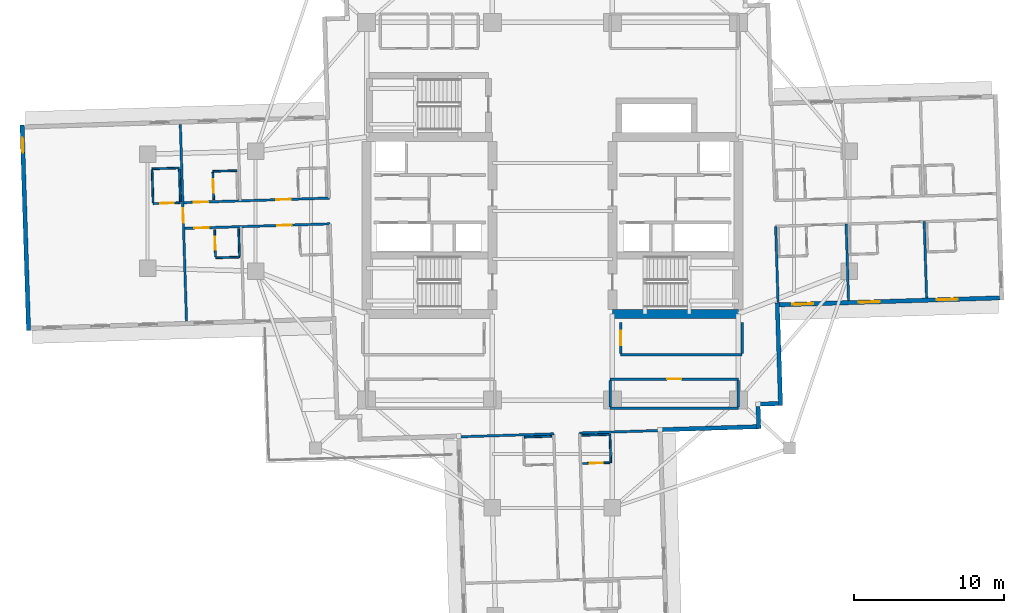
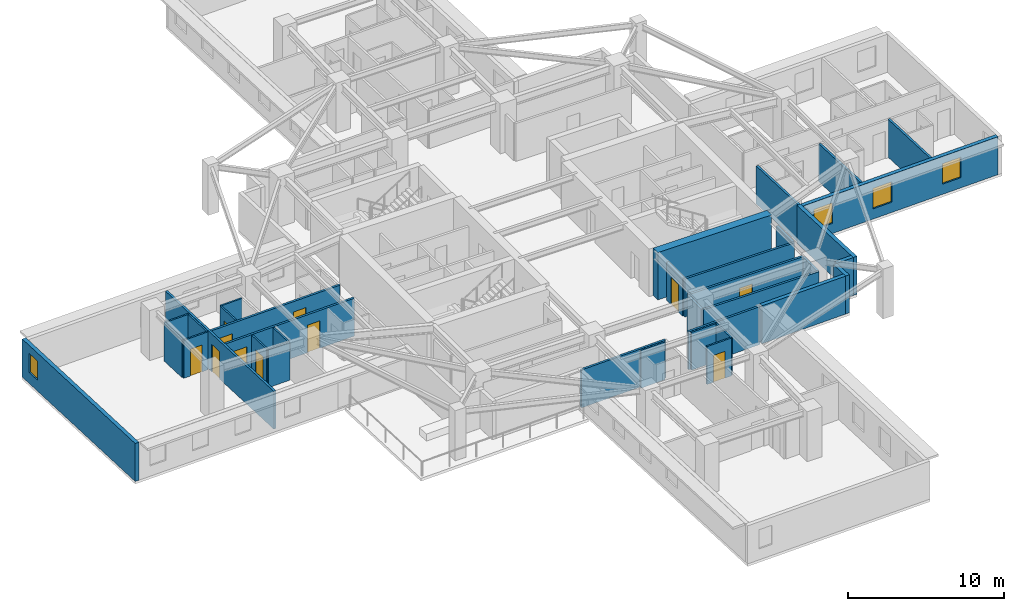
# One storey, part 4 of 14: 35 walls, 11 doors, 4 windows, 15 openings.
"""IFC4 building model written with IfcOpenShell, lengths in metres."""

from ifc_helpers import new_model, si_unit, direction, frame, frame_2d, origin, place, context, subcontext, project, spatial, rectangle, extrude, material, layer, layer_set, type_object, element, fill, save


model = new_model("IFC4")

# Units and contexts
model_context = context("Model", 3, precision=1e-05, world=origin(), true_north=direction((0.0, 1.0)))
body_context = subcontext(model_context, "Body", "Model", "MODEL_VIEW")
ifc_project = project(units=[si_unit("LENGTHUNIT", "METRE"), si_unit("AREAUNIT", "SQUARE_METRE"), si_unit("VOLUMEUNIT", "CUBIC_METRE"), si_unit("PLANEANGLEUNIT", "RADIAN"), si_unit("MASSUNIT", "GRAM", prefix="KILO")], contexts=[model_context])

# Site, building, storey
site_placement = place(None, origin())
site = spatial("IfcSite", under=ifc_project, at=site_placement, CompositionType="ELEMENT")
building_placement = place(site_placement, origin())
building = spatial("IfcBuilding", under=site, at=building_placement, Name="Qingluan Cross Belvedere", CompositionType="ELEMENT")
storey_placement = place(building_placement, frame((0.0, 0.0, 112.5)))
storey = spatial("IfcBuildingStorey", under=building, at=storey_placement, Name="L28", CompositionType="ELEMENT", Elevation=112.5)

# Walls
ifc_material_1 = material(Name="Concrete C60", Category="concrete")
ifc_layer_1 = layer(ifc_material_1, 0.60009765625, Name="CoreShearWall_600")
ifc_layer_set_1 = layer_set([ifc_layer_1], Name="Concrete C60")
wall_type_1 = type_object("IfcWallType", Name="CoreShearWall_600", PredefinedType="SHEAR", material=ifc_layer_set_1)
wall_1_placement = place(storey_placement, frame((4.0, -6.85009765625, 0.0), z_axis=(0.0, 0.0, 1.0), x_axis=(1.0, 0.0, 0.0)))
element("IfcWall", 1, at=wall_1_placement, inside=storey, type_object=wall_type_1, Name="Split core E shear wall L28-S", PredefinedType="SHEAR", context=body_context, shape_type="SweptSolid", body=[
    extrude(rectangle(XDim=8.39990234375, YDim=0.60009765625, at=frame_2d((4.199951171875, 0.0))), origin(), (0.0, 0.0, 1.0), 3.699951171875),
])
ifc_material_2 = material(Name="Gypsum plasterboard on steel stud acoustic partition", Category="steel")
ifc_layer_2 = layer(ifc_material_2, 0.159912109375, Name="CorridorPartition_160")
ifc_layer_set_2 = layer_set([ifc_layer_2], Name="Gypsum plasterboard on steel stud acoustic partition")
wall_type_2 = type_object("IfcWallType", Name="CorridorPartition_160", PredefinedType="PARTITIONING", material=ifc_layer_set_2)
wall_2_placement = place(storey_placement, frame((3.85009765625, -13.14990234375, 0.0), z_axis=(0.0, 0.0, 1.0), x_axis=(1.0, 0.0, 0.0)))
element("IfcWall", 2, at=wall_2_placement, inside=storey, type_object=wall_type_2, Name="Partition L28:q_se:S", PredefinedType="PARTITIONING", context=body_context, shape_type="SweptSolid", body=[
    extrude(rectangle(XDim=8.5498046875, YDim=0.159912109375, at=frame_2d((4.27490234375, 0.0))), origin(), (0.0, 0.0, 1.0), 2.9599609375),
])

# Wall, opening, door
wall_3_placement = place(storey_placement, frame((3.85009765625, -11.199951171875, 0.0), z_axis=(0.0, 0.0, 1.0), x_axis=(1.0, 0.0, 0.0)))
wall_3 = element("IfcWall", 3, at=wall_3_placement, inside=storey, type_object=wall_type_2, Name="Partition L28:q_se:N", PredefinedType="PARTITIONING", context=body_context, shape_type="SweptSolid", body=[
    extrude(rectangle(XDim=8.5498046875, YDim=0.159912109375, at=frame_2d((4.27490234375, 0.0))), origin(), (0.0, 0.0, 1.0), 2.9599609375),
])
opening_1_placement = place(wall_3_placement, frame((3.794921875, 0.0, 0.0)))
opening_1 = element("IfcOpeningElement", 4, at=opening_1_placement, cuts=wall_3, Name="Opening GD-10", PredefinedType="OPENING", context=body_context, shape_type="SweptSolid", body=[
    extrude(rectangle(XDim=0.9599609375, YDim=2.14990234375, at=frame_2d((0.47998046875, 1.074951171875))), frame((0.0, 0.08984375, 0.0), z_axis=(0.0, -1.0, 0.0), x_axis=(1.0, 0.0, 0.0)), (0.0, 0.0, 1.0), 0.179931640625),
])
ifc_material_3 = material(Name="Timber oak fire-rated acoustic guestroom door", Category="wood")
door_type_1 = type_object("IfcDoorType", Name="GuestEntryDoor_FD60", OperationType="NOTDEFINED", PredefinedType="DOOR", material=ifc_material_3)
door_1_placement = place(opening_1_placement, origin())
door_1 = element("IfcDoor", 5, at=door_1_placement, inside=storey, type_object=door_type_1, Name="Concierge business office L28 door", OperationType="SINGLE_SWING_LEFT", OverallHeight=2.14990234375, OverallWidth=0.9599609375, PredefinedType="DOOR", context=body_context, shape_type="SweptSolid", body=[
    extrude(rectangle(XDim=0.9599609375, YDim=2.14990234375, at=frame_2d((0.47998046875, 1.074951171875))), frame((0.0, 0.02490234375, 0.0), z_axis=(0.0, -1.0, 0.0), x_axis=(1.0, 0.0, 0.0)), (0.0, 0.0, 1.0), 0.050048828125),
])
fill(opening_1, door_1)

# Walls
for number, where, z_axis, x_axis, name in (
    (6, (3.85009765625, -13.06494140625, 0.0), (0.0, 0.0, 1.0), (0.0, 1.0, 0.0), "Partition L28:q_se:W"),
    (7, (12.39990234375, -13.06494140625, 0.0), (0.0, 0.0, 1.0), (0.0, 1.0, 0.0), "Partition L28:q_se:E"),
):
    element("IfcWall", number, at=place(storey_placement, frame(where, z_axis=z_axis, x_axis=x_axis)), inside=storey, type_object=wall_type_2, Name=name, PredefinedType="PARTITIONING", context=body_context, shape_type="SweptSolid", body=[
        extrude(rectangle(XDim=1.780029296875, YDim=0.159912109375, at=frame_2d((0.89013671875, 0.0))), origin(), (0.0, 0.0, 1.0), 2.9599609375),
    ])
wall_4_placement = place(storey_placement, frame((4.550048828125, -9.580078125, 0.0), z_axis=(0.0, 0.0, 1.0), x_axis=(1.0, 0.0, 0.0)))
element("IfcWall", 8, at=wall_4_placement, inside=storey, type_object=wall_type_2, Name="Partition L28:rec_st4:S", PredefinedType="PARTITIONING", context=body_context, shape_type="SweptSolid", body=[
    extrude(rectangle(XDim=8.099853515625, YDim=0.159912109375, at=frame_2d((4.0498046875, 0.0))), origin(), (0.0, 0.0, 1.0), 2.9599609375),
])

# Wall, opening, door
wall_5_placement = place(storey_placement, frame((4.550048828125, -9.4951171875, 0.0), z_axis=(0.0, 0.0, 1.0), x_axis=(0.0, 1.0, 0.0)))
wall_5 = element("IfcWall", 9, at=wall_5_placement, inside=storey, type_object=wall_type_2, Name="Partition L28:rec_st4:W", PredefinedType="PARTITIONING", context=body_context, shape_type="SweptSolid", body=[
    extrude(rectangle(XDim=2.06005859375, YDim=0.159912109375, at=frame_2d((1.030029296875, 0.0))), origin(), (0.0, 0.0, 1.0), 2.9599609375),
])
opening_2_placement = place(wall_5_placement, frame((0.550048828125, 0.0, 0.0)))
opening_2 = element("IfcOpeningElement", 10, at=opening_2_placement, cuts=wall_5, Name="Opening GD-10", PredefinedType="OPENING", context=body_context, shape_type="SweptSolid", body=[
    extrude(rectangle(XDim=0.9599609375, YDim=2.14990234375, at=frame_2d((0.47998046875, 1.074951171875))), frame((0.0, 0.08984375, 0.0), z_axis=(0.0, -1.0, 0.0), x_axis=(1.0, 0.0, 0.0)), (0.0, 0.0, 1.0), 0.179931640625),
])
door_2_placement = place(opening_2_placement, origin())
door_2 = element("IfcDoor", 11, at=door_2_placement, inside=storey, type_object=door_type_1, Name="Southeast club library room L28 door", OperationType="SINGLE_SWING_RIGHT", OverallHeight=2.14990234375, OverallWidth=0.9599609375, PredefinedType="DOOR", context=body_context, shape_type="SweptSolid", body=[
    extrude(rectangle(XDim=0.9599609375, YDim=2.14990234375, at=frame_2d((0.47998046875, 1.074951171875))), frame((0.0, 0.02490234375, 0.0), z_axis=(0.0, -1.0, 0.0), x_axis=(1.0, 0.0, 0.0)), (0.0, 0.0, 1.0), 0.050048828125),
])
fill(opening_2, door_2)

# Walls
wall_6_placement = place(storey_placement, frame((12.64990234375, -9.4951171875, 0.0), z_axis=(0.0, 0.0, 1.0), x_axis=(0.0, 1.0, 0.0)))
element("IfcWall", 12, at=wall_6_placement, inside=storey, type_object=wall_type_2, Name="Partition L28:rec_st4:E", PredefinedType="PARTITIONING", context=body_context, shape_type="SweptSolid", body=[
    extrude(rectangle(XDim=2.06005859375, YDim=0.159912109375, at=frame_2d((1.030029296875, 0.0))), origin(), (0.0, 0.0, 1.0), 2.9599609375),
])
for number, where, z_axis, x_axis, name in (
    (13, (14.88916015625, -1.0126953125, 0.0), (0.0, 0.0, 1.0), (0.031451789571, -0.999505270088, 0.0), "Partition L28:E:s1"),
    (14, (19.58984375, -0.864990234375, 0.0), (0.0, 0.0, 1.0), (0.031403892089, -0.999506776146, 0.0), "Partition L28:E:d1_0"),
    (15, (24.79833984375, -0.701416015625, 0.0), (0.0, 0.0, 1.0), (0.031403892089, -0.999506776146, 0.0), "Partition L28:E:d1_1"),
):
    element("IfcWall", number, at=place(storey_placement, frame(where, z_axis=z_axis, x_axis=x_axis)), inside=storey, type_object=wall_type_2, Name=name, PredefinedType="PARTITIONING", context=body_context, shape_type="SweptSolid", body=[
        extrude(rectangle(XDim=5.092041015625, YDim=0.159912109375, at=frame_2d((2.5458984375, 0.0))), origin(), (0.0, 0.0, 1.0), 2.9599609375),
    ])

# Wall, openings, doors
wall_7_placement = place(storey_placement, frame((-14.884765625, 0.872802734375, 0.0), z_axis=(0.0, 0.0, 1.0), x_axis=(-0.999506560269, -0.031410762168, 0.0)))
wall_7 = element("IfcWall", 16, at=wall_7_placement, inside=storey, type_object=wall_type_2, Name="Partition L28:W:c0", PredefinedType="PARTITIONING", context=body_context, shape_type="SweptSolid", body=[
    extrude(rectangle(XDim=9.7001953125, YDim=0.159912109375, at=frame_2d((4.85009765625, 0.0))), origin(), (0.0, 0.0, 1.0), 2.9599609375),
])
opening_3_placement = place(wall_7_placement, frame((2.574951171875, 0.0, 0.0)))
opening_3 = element("IfcOpeningElement", 17, at=opening_3_placement, cuts=wall_7, Name="Opening GD-10", PredefinedType="OPENING", context=body_context, shape_type="SweptSolid", body=[
    extrude(rectangle(XDim=0.9599609375, YDim=2.14990234375, at=frame_2d((0.47998046875, 1.074951171875))), frame((0.0, 0.08984375, 0.0), z_axis=(0.0, -1.0, 0.0), x_axis=(1.0, 0.0, 0.0)), (0.0, 0.0, 1.0), 0.179931640625),
])
opening_4_placement = place(wall_7_placement, frame((8.096923828125, 0.0, 0.0)))
opening_4 = element("IfcOpeningElement", 18, at=opening_4_placement, cuts=wall_7, Name="Opening GD-10", PredefinedType="OPENING", context=body_context, shape_type="SweptSolid", body=[
    extrude(rectangle(XDim=0.9599609375, YDim=2.14990234375, at=frame_2d((0.47998046875, 1.074951171875))), frame((0.0, 0.08984375, 0.0), z_axis=(0.0, -1.0, 0.0), x_axis=(1.0, 0.0, 0.0)), (0.0, 0.0, 1.0), 0.179931640625),
])
door_3_placement = place(opening_3_placement, origin())
door_3 = element("IfcDoor", 19, at=door_3_placement, inside=storey, type_object=door_type_1, Name="Guest entry fire door 2807", OperationType="SINGLE_SWING_RIGHT", OverallHeight=2.14990234375, OverallWidth=0.9599609375, PredefinedType="DOOR", context=body_context, shape_type="SweptSolid", body=[
    extrude(rectangle(XDim=0.9599609375, YDim=2.14990234375, at=frame_2d((0.47998046875, 1.074951171875))), frame((0.0, 0.02490234375, 0.0), z_axis=(0.0, -1.0, 0.0), x_axis=(1.0, 0.0, 0.0)), (0.0, 0.0, 1.0), 0.050048828125),
])
fill(opening_3, door_3)
door_4_placement = place(opening_4_placement, origin())
door_4 = element("IfcDoor", 20, at=door_4_placement, inside=storey, type_object=door_type_1, Name="Guest entry fire door 2808", OperationType="SINGLE_SWING_RIGHT", OverallHeight=2.14990234375, OverallWidth=0.9599609375, PredefinedType="DOOR", context=body_context, shape_type="SweptSolid", body=[
    extrude(rectangle(XDim=0.9599609375, YDim=2.14990234375, at=frame_2d((0.47998046875, 1.074951171875))), frame((0.0, 0.02490234375, 0.0), z_axis=(0.0, -1.0, 0.0), x_axis=(1.0, 0.0, 0.0)), (0.0, 0.0, 1.0), 0.050048828125),
])
fill(opening_4, door_4)

wall_8_placement = place(storey_placement, frame((-14.830810546875, -0.84619140625, 0.0), z_axis=(0.0, 0.0, 1.0), x_axis=(-0.999506535435, -0.031411552371, 0.0)))
wall_8 = element("IfcWall", 21, at=wall_8_placement, inside=storey, type_object=wall_type_2, Name="Partition L28:W:c1", PredefinedType="PARTITIONING", context=body_context, shape_type="SweptSolid", body=[
    extrude(rectangle(XDim=9.699951171875, YDim=0.159912109375, at=frame_2d((4.85009765625, 0.0))), origin(), (0.0, 0.0, 1.0), 2.9599609375),
])
opening_5_placement = place(wall_8_placement, frame((2.574951171875, 0.0, 0.0)))
opening_5 = element("IfcOpeningElement", 22, at=opening_5_placement, cuts=wall_8, Name="Opening GD-10", PredefinedType="OPENING", context=body_context, shape_type="SweptSolid", body=[
    extrude(rectangle(XDim=0.9599609375, YDim=2.14990234375, at=frame_2d((0.47998046875, 1.074951171875))), frame((0.0, 0.08984375, 0.0), z_axis=(0.0, -1.0, 0.0), x_axis=(1.0, 0.0, 0.0)), (0.0, 0.0, 1.0), 0.179931640625),
])
opening_6_placement = place(wall_8_placement, frame((8.096923828125, 0.0, 0.0)))
opening_6 = element("IfcOpeningElement", 23, at=opening_6_placement, cuts=wall_8, Name="Opening GD-10", PredefinedType="OPENING", context=body_context, shape_type="SweptSolid", body=[
    extrude(rectangle(XDim=0.9599609375, YDim=2.14990234375, at=frame_2d((0.47998046875, 1.074951171875))), frame((0.0, 0.08984375, 0.0), z_axis=(0.0, -1.0, 0.0), x_axis=(1.0, 0.0, 0.0)), (0.0, 0.0, 1.0), 0.179931640625),
])
door_5_placement = place(opening_5_placement, origin())
door_5 = element("IfcDoor", 24, at=door_5_placement, inside=storey, type_object=door_type_1, Name="Guest entry fire door 2809", OperationType="SINGLE_SWING_RIGHT", OverallHeight=2.14990234375, OverallWidth=0.9599609375, PredefinedType="DOOR", context=body_context, shape_type="SweptSolid", body=[
    extrude(rectangle(XDim=0.9599609375, YDim=2.14990234375, at=frame_2d((0.47998046875, 1.074951171875))), frame((0.0, 0.02490234375, 0.0), z_axis=(0.0, -1.0, 0.0), x_axis=(1.0, 0.0, 0.0)), (0.0, 0.0, 1.0), 0.050048828125),
])
fill(opening_5, door_5)
door_6_placement = place(opening_6_placement, origin())
door_6 = element("IfcDoor", 25, at=door_6_placement, inside=storey, type_object=door_type_1, Name="Guest entry fire door 2810", OperationType="SINGLE_SWING_RIGHT", OverallHeight=2.14990234375, OverallWidth=0.9599609375, PredefinedType="DOOR", context=body_context, shape_type="SweptSolid", body=[
    extrude(rectangle(XDim=0.9599609375, YDim=2.14990234375, at=frame_2d((0.47998046875, 1.074951171875))), frame((0.0, 0.02490234375, 0.0), z_axis=(0.0, -1.0, 0.0), x_axis=(1.0, 0.0, 0.0)), (0.0, 0.0, 1.0), 0.050048828125),
])
fill(opening_6, door_6)

# Walls
wall_9_placement = place(storey_placement, frame((1.805908203125, -14.800537109375, 0.0), z_axis=(0.0, 0.0, 1.0), x_axis=(0.999506793296, 0.031403346241, 0.0)))
element("IfcWall", 26, at=wall_9_placement, inside=storey, type_object=wall_type_2, Name="Partition L28:S:s0", PredefinedType="PARTITIONING", context=body_context, shape_type="SweptSolid", body=[
    extrude(rectangle(XDim=5.3798828125, YDim=0.159912109375, at=frame_2d((2.68994140625, 0.0))), origin(), (0.0, 0.0, 1.0), 2.9599609375),
])
wall_10_placement = place(storey_placement, frame((0.086669921875, -14.8544921875, 0.0), z_axis=(0.0, 0.0, 1.0), x_axis=(-0.999506197806, -0.031422293782, 0.0)))
element("IfcWall", 27, at=wall_10_placement, inside=storey, type_object=wall_type_2, Name="Partition L28:S:s1", PredefinedType="PARTITIONING", context=body_context, shape_type="SweptSolid", body=[
    extrude(rectangle(XDim=6.340087890625, YDim=0.159912109375, at=frame_2d((3.169921875, 0.0))), origin(), (0.0, 0.0, 1.0), 2.9599609375),
])

# Wall, opening, door
wall_11_placement = place(storey_placement, frame((-24.411376953125, -7.34228515625, 0.0), z_axis=(0.0, 0.0, 1.0), x_axis=(-0.031409296822, 0.999506606318, 0.0)))
wall_11 = element("IfcWall", 28, at=wall_11_placement, inside=storey, type_object=wall_type_2, Name="Partition L28:Wcap:in", PredefinedType="PARTITIONING", context=body_context, shape_type="SweptSolid", body=[
    extrude(rectangle(XDim=13.14404296875, YDim=0.159912109375, at=frame_2d((6.572021484375, 0.0))), origin(), (0.0, 0.0, 1.0), 2.9599609375),
])
opening_7_placement = place(wall_11_placement, frame((6.572021484375, 0.0, 0.0)))
opening_7 = element("IfcOpeningElement", 29, at=opening_7_placement, cuts=wall_11, Name="Opening GD-10", PredefinedType="OPENING", context=body_context, shape_type="SweptSolid", body=[
    extrude(rectangle(XDim=0.9599609375, YDim=2.14990234375, at=frame_2d((0.47998046875, 1.074951171875))), frame((0.0, 0.08984375, 0.0), z_axis=(0.0, -1.0, 0.0), x_axis=(1.0, 0.0, 0.0)), (0.0, 0.0, 1.0), 0.179931640625),
])
door_7_placement = place(opening_7_placement, origin())
door_7 = element("IfcDoor", 30, at=door_7_placement, inside=storey, type_object=door_type_1, Name="Presidential suite entrance door L28W", OperationType="SINGLE_SWING_LEFT", OverallHeight=2.14990234375, OverallWidth=0.9599609375, PredefinedType="DOOR", context=body_context, shape_type="SweptSolid", body=[
    extrude(rectangle(XDim=0.9599609375, YDim=2.14990234375, at=frame_2d((0.47998046875, 1.074951171875))), frame((0.0, 0.02490234375, 0.0), z_axis=(0.0, -1.0, 0.0), x_axis=(1.0, 0.0, 0.0)), (0.0, 0.0, 1.0), 0.050048828125),
])
fill(opening_7, door_7)

ifc_material_4 = material(Name="Moisture-resistant gypsum board lining")
ifc_layer_3 = layer(ifc_material_4, 0.1201171875, Name="EnsuiteWetPartition_120")
ifc_layer_set_3 = layer_set([ifc_layer_3], Name="Moisture-resistant gypsum board lining")
wall_type_3 = type_object("IfcWallType", Name="EnsuiteWetPartition_120", PredefinedType="PARTITIONING", material=ifc_layer_set_3)
wall_12_placement = place(storey_placement, frame((-22.595458984375, 0.7705078125, 0.0), z_axis=(0.0, 0.0, 1.0), x_axis=(-0.031389704724, 0.999507221803, 0.0)))
wall_12 = element("IfcWall", 31, at=wall_12_placement, inside=storey, type_object=wall_type_3, Name="Partition L28:W:bs0_1", PredefinedType="PARTITIONING", context=body_context, shape_type="SweptSolid", body=[
    extrude(rectangle(XDim=1.820068359375, YDim=0.1201171875, at=frame_2d((0.91015625, 0.0))), origin(), (0.0, 0.0, 1.0), 2.9599609375),
])
opening_8_placement = place(wall_12_placement, frame((0.469970703125, 0.0, 0.0)))
opening_8 = element("IfcOpeningElement", 32, at=opening_8_placement, cuts=wall_12, Name="Opening BD-09", PredefinedType="OPENING", context=body_context, shape_type="SweptSolid", body=[
    extrude(rectangle(XDim=0.8798828125, YDim=2.10009765625, at=frame_2d((0.43994140625, 1.050048828125))), frame((0.0, 0.070068359375, 0.0), z_axis=(0.0, -1.0, 0.0), x_axis=(1.0, 0.0, 0.0)), (0.0, 0.0, 1.0), 0.14013671875),
])
ifc_material_5 = material(Name="Moisture-sealed timber en-suite door", Category="wood")
door_type_2 = type_object("IfcDoorType", Name="BathroomDoor_880", OperationType="NOTDEFINED", PredefinedType="DOOR", material=ifc_material_5)
door_8_placement = place(opening_8_placement, origin())
door_8 = element("IfcDoor", 33, at=door_8_placement, inside=storey, type_object=door_type_2, Name="Bathroom door 2808", OperationType="SINGLE_SWING_LEFT", OverallHeight=2.10009765625, OverallWidth=0.8798828125, PredefinedType="DOOR", context=body_context, shape_type="SweptSolid", body=[
    extrude(rectangle(XDim=0.8798828125, YDim=2.10009765625, at=frame_2d((0.43994140625, 1.050048828125))), frame((0.0, 0.02490234375, 0.0), z_axis=(0.0, -1.0, 0.0), x_axis=(1.0, 0.0, 0.0)), (0.0, 0.0, 1.0), 0.050048828125),
])
fill(opening_8, door_8)

# Wall
wall_13_placement = place(storey_placement, frame((-21.055419921875, 2.705078125, 0.0), z_axis=(0.0, 0.0, 1.0), x_axis=(-0.999505803333, -0.031434839006, 0.0)))
element("IfcWall", 34, at=wall_13_placement, inside=storey, type_object=wall_type_3, Name="Partition L28:W:bn0_1", PredefinedType="PARTITIONING", context=body_context, shape_type="SweptSolid", body=[
    extrude(rectangle(XDim=1.599853515625, YDim=0.1201171875, at=frame_2d((0.7998046875, 0.0))), origin(), (0.0, 0.0, 1.0), 2.9599609375),
])

# Wall, opening, door
wall_14_placement = place(storey_placement, frame((-22.475341796875, -3.047607421875, 0.0), z_axis=(0.0, 0.0, 1.0), x_axis=(-0.031389704724, 0.999507221803, 0.0)))
wall_14 = element("IfcWall", 35, at=wall_14_placement, inside=storey, type_object=wall_type_3, Name="Partition L28:W:bs1_1", PredefinedType="PARTITIONING", context=body_context, shape_type="SweptSolid", body=[
    extrude(rectangle(XDim=1.820068359375, YDim=0.1201171875, at=frame_2d((0.91015625, 0.0))), origin(), (0.0, 0.0, 1.0), 2.9599609375),
])
opening_9_placement = place(wall_14_placement, frame((0.469970703125, 0.0, 0.0)))
opening_9 = element("IfcOpeningElement", 36, at=opening_9_placement, cuts=wall_14, Name="Opening BD-09", PredefinedType="OPENING", context=body_context, shape_type="SweptSolid", body=[
    extrude(rectangle(XDim=0.8798828125, YDim=2.10009765625, at=frame_2d((0.43994140625, 1.050048828125))), frame((0.0, 0.070068359375, 0.0), z_axis=(0.0, -1.0, 0.0), x_axis=(1.0, 0.0, 0.0)), (0.0, 0.0, 1.0), 0.14013671875),
])
door_9_placement = place(opening_9_placement, origin())
door_9 = element("IfcDoor", 37, at=door_9_placement, inside=storey, type_object=door_type_2, Name="Bathroom door 2810", OperationType="SINGLE_SWING_LEFT", OverallHeight=2.10009765625, OverallWidth=0.8798828125, PredefinedType="DOOR", context=body_context, shape_type="SweptSolid", body=[
    extrude(rectangle(XDim=0.8798828125, YDim=2.10009765625, at=frame_2d((0.43994140625, 1.050048828125))), frame((0.0, 0.02490234375, 0.0), z_axis=(0.0, -1.0, 0.0), x_axis=(1.0, 0.0, 0.0)), (0.0, 0.0, 1.0), 0.050048828125),
])
fill(opening_9, door_9)

# Walls
wall_15_placement = place(storey_placement, frame((-20.876220703125, -2.997314453125, 0.0), z_axis=(0.0, 0.0, 1.0), x_axis=(-0.031385496622, 0.999507353951, 0.0)))
element("IfcWall", 38, at=wall_15_placement, inside=storey, type_object=wall_type_3, Name="Partition L28:W:bw1_1", PredefinedType="PARTITIONING", context=body_context, shape_type="SweptSolid", body=[
    extrude(rectangle(XDim=1.8203125, YDim=0.1201171875, at=frame_2d((0.91015625, 0.0))), origin(), (0.0, 0.0, 1.0), 2.9599609375),
])
wall_16_placement = place(storey_placement, frame((-20.8740234375, -3.062255859375, 0.0), z_axis=(0.0, 0.0, 1.0), x_axis=(-0.999510735496, -0.031277621856, 0.0)))
element("IfcWall", 39, at=wall_16_placement, inside=storey, type_object=wall_type_3, Name="Partition L28:W:bc1_1", PredefinedType="PARTITIONING", context=body_context, shape_type="SweptSolid", body=[
    extrude(rectangle(XDim=1.60009765625, YDim=0.1201171875, at=frame_2d((0.800048828125, 0.0))), origin(), (0.0, 0.0, 1.0), 2.9599609375),
])

# Wall, opening, door
wall_17_placement = place(storey_placement, frame((2.009765625, -16.835205078125, 0.0), z_axis=(0.0, 0.0, 1.0), x_axis=(0.999507221803, 0.031389704724, 0.0)))
wall_17 = element("IfcWall", 40, at=wall_17_placement, inside=storey, type_object=wall_type_3, Name="Partition L28:S:bs0_0", PredefinedType="PARTITIONING", context=body_context, shape_type="SweptSolid", body=[
    extrude(rectangle(XDim=1.820068359375, YDim=0.1201171875, at=frame_2d((0.91015625, 0.0))), origin(), (0.0, 0.0, 1.0), 2.9599609375),
])
opening_10_placement = place(wall_17_placement, frame((0.469970703125, 0.0, 0.0)))
opening_10 = element("IfcOpeningElement", 41, at=opening_10_placement, cuts=wall_17, Name="Opening BD-09", PredefinedType="OPENING", context=body_context, shape_type="SweptSolid", body=[
    extrude(rectangle(XDim=0.8798828125, YDim=2.10009765625, at=frame_2d((0.43994140625, 1.050048828125))), frame((0.0, 0.070068359375, 0.0), z_axis=(0.0, -1.0, 0.0), x_axis=(1.0, 0.0, 0.0)), (0.0, 0.0, 1.0), 0.14013671875),
])
door_10_placement = place(opening_10_placement, origin())
door_10 = element("IfcDoor", 42, at=door_10_placement, inside=storey, type_object=door_type_2, Name="Bathroom door 2815", OperationType="SINGLE_SWING_LEFT", OverallHeight=2.10009765625, OverallWidth=0.8798828125, PredefinedType="DOOR", context=body_context, shape_type="SweptSolid", body=[
    extrude(rectangle(XDim=0.8798828125, YDim=2.10009765625, at=frame_2d((0.43994140625, 1.050048828125))), frame((0.0, 0.02490234375, 0.0), z_axis=(0.0, -1.0, 0.0), x_axis=(1.0, 0.0, 0.0)), (0.0, 0.0, 1.0), 0.050048828125),
])
fill(opening_10, door_10)

# Walls
wall_18_placement = place(storey_placement, frame((1.95068359375, -14.9560546875, 0.0), z_axis=(0.0, 0.0, 1.0), x_axis=(0.999507221803, 0.031389704724, 0.0)))
element("IfcWall", 43, at=wall_18_placement, inside=storey, type_object=wall_type_3, Name="Partition L28:S:bw0_0", PredefinedType="PARTITIONING", context=body_context, shape_type="SweptSolid", body=[
    extrude(rectangle(XDim=1.820068359375, YDim=0.1201171875, at=frame_2d((0.91015625, 0.0))), origin(), (0.0, 0.0, 1.0), 2.9599609375),
])
wall_19_placement = place(storey_placement, frame((3.834716796875, -14.89697265625, 0.0), z_axis=(0.0, 0.0, 1.0), x_axis=(0.031429371883, -0.999505975261, 0.0)))
element("IfcWall", 44, at=wall_19_placement, inside=storey, type_object=wall_type_3, Name="Partition L28:S:bn0_0", PredefinedType="PARTITIONING", context=body_context, shape_type="SweptSolid", body=[
    extrude(rectangle(XDim=1.8798828125, YDim=0.1201171875, at=frame_2d((0.93994140625, 0.0))), origin(), (0.0, 0.0, 1.0), 2.9599609375),
])
wall_20_placement = place(storey_placement, frame((-1.867431640625, -15.076171875, 0.0), z_axis=(0.0, 0.0, 1.0), x_axis=(0.999503004171, 0.03152371574, 0.0)))
element("IfcWall", 45, at=wall_20_placement, inside=storey, type_object=wall_type_3, Name="Partition L28:S:bw1_0", PredefinedType="PARTITIONING", context=body_context, shape_type="SweptSolid", body=[
    extrude(rectangle(XDim=1.820068359375, YDim=0.1201171875, at=frame_2d((0.91015625, 0.0))), origin(), (0.0, 0.0, 1.0), 2.9599609375),
])
for number, where, z_axis, x_axis, name in (
    (46, (-24.822021484375, 0.630615234375, 0.0), (0.0, 0.0, 1.0), (-0.031357121398, 0.999508244557, 0.0), "Partition L28:Wcap:ba"),
    (47, (-26.64111328125, 0.573486328125, 0.0), (0.0, 0.0, 1.0), (-0.031469000411, 0.99950472836, 0.0), "Partition L28:Wcap:bb"),
):
    element("IfcWall", number, at=place(storey_placement, frame(where, z_axis=z_axis, x_axis=x_axis)), inside=storey, type_object=wall_type_3, Name=name, PredefinedType="PARTITIONING", context=body_context, shape_type="SweptSolid", body=[
        extrude(rectangle(XDim=2.179931640625, YDim=0.1201171875, at=frame_2d((1.08984375, 0.0))), origin(), (0.0, 0.0, 1.0), 2.9599609375),
    ])

# Wall, opening, door
wall_21_placement = place(storey_placement, frame((-24.81982421875, 0.560791015625, 0.0), z_axis=(0.0, 0.0, 1.0), x_axis=(-0.999503004171, -0.03152371574, 0.0)))
wall_21 = element("IfcWall", 48, at=wall_21_placement, inside=storey, type_object=wall_type_3, Name="Partition L28:Wcap:bs", PredefinedType="PARTITIONING", context=body_context, shape_type="SweptSolid", body=[
    extrude(rectangle(XDim=1.820068359375, YDim=0.1201171875, at=frame_2d((0.91015625, 0.0))), origin(), (0.0, 0.0, 1.0), 2.9599609375),
])
opening_11_placement = place(wall_21_placement, frame((0.449951171875, 0.0, 0.0)))
opening_11 = element("IfcOpeningElement", 49, at=opening_11_placement, cuts=wall_21, Name="Opening BD-09", PredefinedType="OPENING", context=body_context, shape_type="SweptSolid", body=[
    extrude(rectangle(XDim=0.8798828125, YDim=2.10009765625, at=frame_2d((0.43994140625, 1.050048828125))), frame((0.0, 0.070068359375, 0.0), z_axis=(0.0, -1.0, 0.0), x_axis=(1.0, 0.0, 0.0)), (0.0, 0.0, 1.0), 0.14013671875),
])
door_11_placement = place(opening_11_placement, origin())
door_11 = element("IfcDoor", 50, at=door_11_placement, inside=storey, type_object=door_type_2, Name="En-suite bathroom door L28W", OperationType="SINGLE_SWING_RIGHT", OverallHeight=2.10009765625, OverallWidth=0.8798828125, PredefinedType="DOOR", context=body_context, shape_type="SweptSolid", body=[
    extrude(rectangle(XDim=0.8798828125, YDim=2.10009765625, at=frame_2d((0.43994140625, 1.050048828125))), frame((0.0, 0.02490234375, 0.0), z_axis=(0.0, -1.0, 0.0), x_axis=(1.0, 0.0, 0.0)), (0.0, 0.0, 1.0), 0.050048828125),
])
fill(opening_11, door_11)

# Wall
wall_22_placement = place(storey_placement, frame((-24.892578125, 2.87939453125, 0.0), z_axis=(0.0, 0.0, 1.0), x_axis=(-0.999511552526, -0.031251501844, 0.0)))
element("IfcWall", 51, at=wall_22_placement, inside=storey, type_object=wall_type_3, Name="Partition L28:Wcap:bn", PredefinedType="PARTITIONING", context=body_context, shape_type="SweptSolid", body=[
    extrude(rectangle(XDim=1.8203125, YDim=0.1201171875, at=frame_2d((0.91015625, 0.0))), origin(), (0.0, 0.0, 1.0), 2.9599609375),
])

# Wall, openings, windows
ifc_material_6 = material(Name="Precast concrete C45", Category="concrete")
ifc_layer_4 = layer(ifc_material_6, 0.280029296875, Name="PrecastFacadeWall_280")
ifc_layer_set_4 = layer_set([ifc_layer_4], Name="Precast concrete C45")
wall_type_4 = type_object("IfcWallType", Name="PrecastFacadeWall_280", PredefinedType="STANDARD", material=ifc_layer_set_4)
wall_23_placement = place(storey_placement, frame((15.143798828125, -6.247314453125, 0.0), z_axis=(0.0, 0.0, 1.0), x_axis=(0.999506698073, 0.031406376864, 0.0)))
wall_23 = element("IfcWall", 52, at=wall_23_placement, inside=storey, type_object=wall_type_4, Name="Facade wall L28-EA", PredefinedType="STANDARD", context=body_context, shape_type="SweptSolid", body=[
    extrude(rectangle(XDim=14.699951171875, YDim=0.280029296875, at=frame_2d((7.35009765625, 0.0))), origin(), (0.0, 0.0, 1.0), 2.969970703125),
])
opening_12_placement = place(wall_23_placement, frame((0.85009765625, 0.0, 0.800048828125)))
opening_12 = element("IfcOpeningElement", 53, at=opening_12_placement, cuts=wall_23, Name="Opening W-01", PredefinedType="OPENING", context=body_context, shape_type="SweptSolid", body=[
    extrude(rectangle(XDim=1.39990234375, YDim=1.60009765625, at=frame_2d((0.699951171875, 0.800048828125))), frame((0.0, 0.14990234375, 0.0), z_axis=(0.0, -1.0, 0.0), x_axis=(1.0, 0.0, 0.0)), (0.0, 0.0, 1.0), 0.300048828125),
])
opening_13_placement = place(wall_23_placement, frame((5.300048828125, 0.0, 0.800048828125)))
opening_13 = element("IfcOpeningElement", 54, at=opening_13_placement, cuts=wall_23, Name="Opening W-01", PredefinedType="OPENING", context=body_context, shape_type="SweptSolid", body=[
    extrude(rectangle(XDim=1.39990234375, YDim=1.60009765625, at=frame_2d((0.699951171875, 0.800048828125))), frame((0.0, 0.14990234375, 0.0), z_axis=(0.0, -1.0, 0.0), x_axis=(1.0, 0.0, 0.0)), (0.0, 0.0, 1.0), 0.300048828125),
])
opening_14_placement = place(wall_23_placement, frame((10.5, 0.0, 0.800048828125)))
opening_14 = element("IfcOpeningElement", 55, at=opening_14_placement, cuts=wall_23, Name="Opening W-01", PredefinedType="OPENING", context=body_context, shape_type="SweptSolid", body=[
    extrude(rectangle(XDim=1.39990234375, YDim=1.60009765625, at=frame_2d((0.699951171875, 0.800048828125))), frame((0.0, 0.14990234375, 0.0), z_axis=(0.0, -1.0, 0.0), x_axis=(1.0, 0.0, 0.0)), (0.0, 0.0, 1.0), 0.300048828125),
])
ifc_material_7 = material(Name="Thermally broken triple Low-E glass in aluminium frame", Category="aluminium")
window_type_1 = type_object("IfcWindowType", Name="TriRibbonWin_1400x1600", PartitioningType="SINGLE_PANEL", PredefinedType="WINDOW", material=ifc_material_7)
window_1_placement = place(opening_12_placement, origin())
window_1 = element("IfcWindow", 56, at=window_1_placement, inside=storey, type_object=window_type_1, Name="Ribbon window L28-EA-1", OverallHeight=1.60009765625, OverallWidth=1.39990234375, PartitioningType="SINGLE_PANEL", PredefinedType="WINDOW", context=body_context, shape_type="SweptSolid", body=[
    extrude(rectangle(XDim=1.39990234375, YDim=1.60009765625, at=frame_2d((0.699951171875, 0.800048828125))), frame((0.0, 0.030029296875, 0.0), z_axis=(0.0, -1.0, 0.0), x_axis=(1.0, 0.0, 0.0)), (0.0, 0.0, 1.0), 0.06005859375),
])
fill(opening_12, window_1)
window_2_placement = place(opening_13_placement, origin())
window_2 = element("IfcWindow", 57, at=window_2_placement, inside=storey, type_object=window_type_1, Name="Ribbon window L28-EA-2", OverallHeight=1.60009765625, OverallWidth=1.39990234375, PartitioningType="SINGLE_PANEL", PredefinedType="WINDOW", context=body_context, shape_type="SweptSolid", body=[
    extrude(rectangle(XDim=1.39990234375, YDim=1.60009765625, at=frame_2d((0.699951171875, 0.800048828125))), frame((0.0, 0.030029296875, 0.0), z_axis=(0.0, -1.0, 0.0), x_axis=(1.0, 0.0, 0.0)), (0.0, 0.0, 1.0), 0.06005859375),
])
fill(opening_13, window_2)
window_3_placement = place(opening_14_placement, origin())
window_3 = element("IfcWindow", 58, at=window_3_placement, inside=storey, type_object=window_type_1, Name="Ribbon window L28-EA-3", OverallHeight=1.60009765625, OverallWidth=1.39990234375, PartitioningType="SINGLE_PANEL", PredefinedType="WINDOW", context=body_context, shape_type="SweptSolid", body=[
    extrude(rectangle(XDim=1.39990234375, YDim=1.60009765625, at=frame_2d((0.699951171875, 0.800048828125))), frame((0.0, 0.030029296875, 0.0), z_axis=(0.0, -1.0, 0.0), x_axis=(1.0, 0.0, 0.0)), (0.0, 0.0, 1.0), 0.06005859375),
])
fill(opening_14, window_3)

# Wall, opening, window
wall_24_placement = place(storey_placement, frame((-35.378173828125, 5.751708984375, 0.0), z_axis=(0.0, 0.0, 1.0), x_axis=(0.031406966164, -0.999506679556, 0.0)))
wall_24 = element("IfcWall", 59, at=wall_24_placement, inside=storey, type_object=wall_type_4, Name="Arm tip precast facade wall L28-W", PredefinedType="STANDARD", context=body_context, shape_type="SweptSolid", body=[
    extrude(rectangle(XDim=13.72021484375, YDim=0.280029296875, at=frame_2d((6.860107421875, 0.0))), origin(), (0.0, 0.0, 1.0), 2.969970703125),
])
opening_15_placement = place(wall_24_placement, frame((0.85009765625, 0.0, 0.85009765625)))
opening_15 = element("IfcOpeningElement", 60, at=opening_15_placement, cuts=wall_24, Name="Opening W-03", PredefinedType="OPENING", context=body_context, shape_type="SweptSolid", body=[
    extrude(rectangle(XDim=1.0, YDim=1.5, at=frame_2d((0.5, 0.75))), frame((0.0, 0.14990234375, 0.0), z_axis=(0.0, -1.0, 0.0), x_axis=(1.0, 0.0, 0.0)), (0.0, 0.0, 1.0), 0.300048828125),
])
ifc_material_8 = material(Name="Thermally broken triple Low-E glass in aluminium frame", Category="aluminium")
window_type_2 = type_object("IfcWindowType", Name="TriApexWin_1000x1500", PartitioningType="SINGLE_PANEL", PredefinedType="WINDOW", material=ifc_material_8)
window_4_placement = place(opening_15_placement, origin())
window_4 = element("IfcWindow", 61, at=window_4_placement, inside=storey, type_object=window_type_2, Name="Arm tip triangular window L28-W", OverallHeight=1.5, OverallWidth=1.0, PartitioningType="SINGLE_PANEL", PredefinedType="WINDOW", context=body_context, shape_type="SweptSolid", body=[
    extrude(rectangle(XDim=1.0, YDim=1.5, at=frame_2d((0.5, 0.75))), frame((0.0, 0.030029296875, 0.0), z_axis=(0.0, -1.0, 0.0), x_axis=(1.0, 0.0, 0.0)), (0.0, 0.0, 1.0), 0.06005859375),
])
fill(opening_15, window_4)

# Walls
wall_25_placement = place(storey_placement, frame((14.99951171875, -6.11181640625, 0.0), z_axis=(0.0, 0.0, 1.0), x_axis=(0.031389189386, -0.999507237988, 0.0)))
element("IfcWall", 62, at=wall_25_placement, inside=storey, type_object=wall_type_4, Name="Corner wall L28-SE1", PredefinedType="STANDARD", context=body_context, shape_type="SweptSolid", body=[
    extrude(rectangle(XDim=6.860107421875, YDim=0.280029296875, at=frame_2d((3.43017578125, 0.0))), origin(), (0.0, 0.0, 1.0), 2.969970703125),
])
wall_26_placement = place(storey_placement, frame((15.070556640625, -12.8330078125, 0.0), z_axis=(0.0, 0.0, 1.0), x_axis=(-0.999506398264, -0.031415916822, 0.0)))
element("IfcWall", 63, at=wall_26_placement, inside=storey, type_object=wall_type_4, Name="Corner wall L28-SE2", PredefinedType="STANDARD", context=body_context, shape_type="SweptSolid", body=[
    extrude(rectangle(XDim=1.219970703125, YDim=0.280029296875, at=frame_2d((0.60986328125, 0.0))), origin(), (0.0, 0.0, 1.0), 2.969970703125),
])
wall_27_placement = place(storey_placement, frame((13.715576171875, -13.015625, 0.0), z_axis=(0.0, 0.0, 1.0), x_axis=(0.031412596484, -0.999506502621, 0.0)))
element("IfcWall", 64, at=wall_27_placement, inside=storey, type_object=wall_type_4, Name="Corner wall L28-SE3", PredefinedType="STANDARD", context=body_context, shape_type="SweptSolid", body=[
    extrude(rectangle(XDim=1.5, YDim=0.280029296875, at=frame_2d((0.75, 0.0))), origin(), (0.0, 0.0, 1.0), 2.969970703125),
])
wall_28_placement = place(storey_placement, frame((13.618408203125, -14.37939453125, 0.0), z_axis=(0.0, 0.0, 1.0), x_axis=(-0.999507224741, -0.031389611199, 0.0)))
element("IfcWall", 65, at=wall_28_placement, inside=storey, type_object=wall_type_4, Name="Corner wall L28-SE4", PredefinedType="STANDARD", context=body_context, shape_type="SweptSolid", body=[
    extrude(rectangle(XDim=6.300048828125, YDim=0.280029296875, at=frame_2d((3.14990234375, 0.0))), origin(), (0.0, 0.0, 1.0), 2.969970703125),
])

save(model, "model.ifc")
